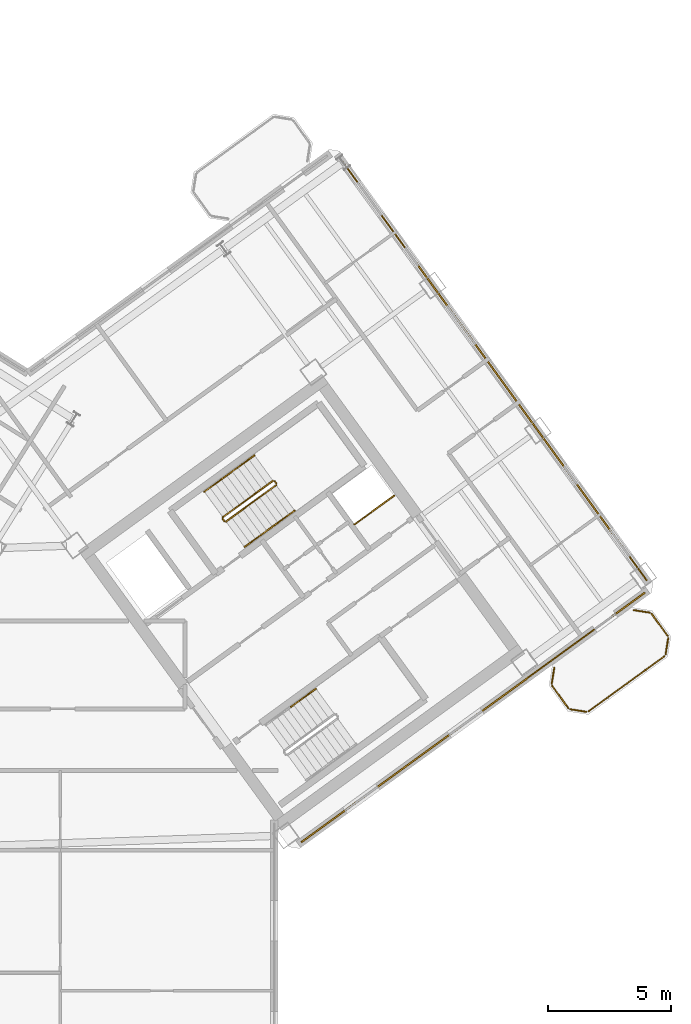
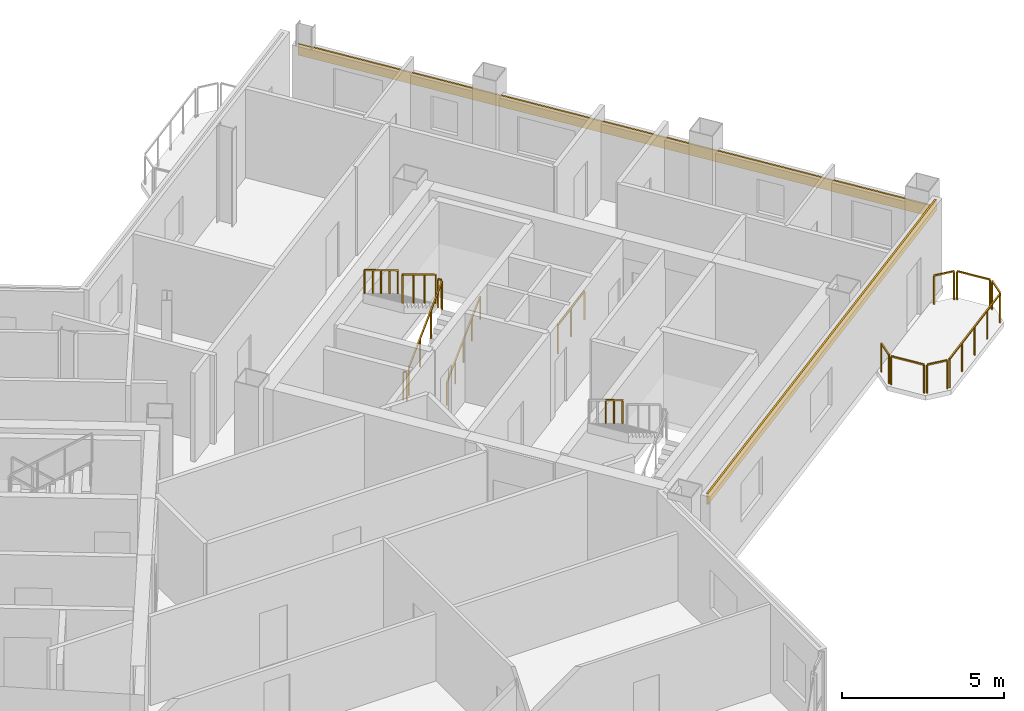
# One storey, part 20 of 21: 17 railings, 2 coverings.
"""IFC4 building model written with IfcOpenShell, lengths in metres."""

import ifcopenshell
import ifcopenshell.guid

model = None  # the IFC model being written
_history = None  # IfcOwnerHistory: only IFC2X3 demands one
_inside = {}  # id of a spatial element -> (the spatial element, [elements in it])
_under = {}  # id of a project, library or spatial element -> (it, [spatial elements below it])
_declared = {}  # id of a project -> (the project, [libraries it declares])
_typed = {}  # id of a type object -> (the type object, [elements of that type])
_made_of = {}  # id of a material, layer set ... -> (it, [elements and type objects made of it])


def new_model(schema):
    """Start an empty IFC model of exactly this schema.

    Asked for "IFC4X3", IfcOpenShell would pick the latest addendum, in which some entities
    have other attributes; the version numbers below select the first issue.
    IFC2X3 requires an IfcOwnerHistory on every rooted entity: one is made here for all.
    """
    global model, _history
    if schema == "IFC4X3":
        model = ifcopenshell.file(schema_version=(4, 3, 0, 0))
    else:
        model = ifcopenshell.file(schema=schema)
    _inside.clear()
    _under.clear()
    _declared.clear()
    _typed.clear()
    _made_of.clear()
    _history = None
    if model.schema == "IFC2X3":
        org = make("IfcOrganization", Name="unknown")
        user = make(
            "IfcPersonAndOrganization",
            ThePerson=make("IfcPerson", FamilyName="unknown"),
            TheOrganization=org,
        )
        app = make(
            "IfcApplication",
            ApplicationDeveloper=org,
            Version="unknown",
            ApplicationFullName="unknown",
            ApplicationIdentifier="unknown",
        )
        _history = make(
            "IfcOwnerHistory",
            OwningUser=user,
            OwningApplication=app,
            ChangeAction="ADDED",
            CreationDate=0,
        )
    return model


def make(cls, **values):
    """One entity of the class cls with the attributes given. An attribute that is None is left unset."""
    return model.create_entity(
        cls, **{name: value for name, value in values.items() if value is not None}
    )


def rooted(cls, **values):
    """An entity with a GlobalId (a new one), such as an element, a storey or a relation."""
    return make(cls, GlobalId=ifcopenshell.guid.new(), OwnerHistory=_history, **values)


def si_unit(unit_type, name, prefix=None):
    """IfcSIUnit, for example si_unit("LENGTHUNIT", "METRE", prefix="MILLI")."""
    return make("IfcSIUnit", UnitType=unit_type, Prefix=prefix, Name=name)


def assignment(units):
    """IfcUnitAssignment: the units of a project."""
    return None if units is None else make("IfcUnitAssignment", Units=units)


def point(xyz):
    """IfcCartesianPoint."""
    return None if xyz is None else make("IfcCartesianPoint", Coordinates=xyz)


def direction(xyz):
    """IfcDirection."""
    return None if xyz is None else make("IfcDirection", DirectionRatios=xyz)


def frame(location, z_axis=None, x_axis=None):
    """IfcAxis2Placement3D, a coordinate frame: its origin and axes. An axis left out is left unset."""
    return make(
        "IfcAxis2Placement3D",
        Location=point(location),
        Axis=direction(z_axis),
        RefDirection=direction(x_axis),
    )


def frame_2d(location, x_axis=None):
    """IfcAxis2Placement2D, a coordinate frame in the plane: its origin and x axis."""
    return make(
        "IfcAxis2Placement2D", Location=point(location), RefDirection=direction(x_axis)
    )


def origin():
    """The frame at (0, 0, 0) with its axes left unset."""
    return frame((0.0, 0.0, 0.0))


def origin_2d():
    """The frame at (0, 0) in the plane with its x axis left unset."""
    return frame_2d((0.0, 0.0))


def place(relative_to, where):
    """IfcLocalPlacement: puts the frame where relative to a parent placement (None: the world)."""
    return make(
        "IfcLocalPlacement", PlacementRelTo=relative_to, RelativePlacement=where
    )


def context(
    kind, dimensions, precision=None, world=None, true_north=None, identifier=None
):
    """IfcGeometricRepresentationContext, for example the 3D "Model" context."""
    return make(
        "IfcGeometricRepresentationContext",
        ContextIdentifier=identifier,
        ContextType=kind,
        CoordinateSpaceDimension=dimensions,
        Precision=precision,
        WorldCoordinateSystem=world,
        TrueNorth=true_north,
    )


def subcontext(parent, identifier, kind, view, scale=None):
    """IfcGeometricRepresentationSubContext, for example "Body" below "Model"."""
    return make(
        "IfcGeometricRepresentationSubContext",
        ContextIdentifier=identifier,
        ContextType=kind,
        ParentContext=parent,
        TargetScale=scale,
        TargetView=view,
    )


def project(units=None, contexts=None):
    """IfcProject with its units and contexts."""
    return rooted(
        "IfcProject",
        Name="project",
        RepresentationContexts=contexts,
        UnitsInContext=assignment(units),
    )


def spatial(cls, under=None, at=None, **own):
    """A site, building, storey or space (cls), placed at a placement, below another one or the project."""
    s = rooted(cls, ObjectPlacement=at, **own)
    if under is not None:
        _under.setdefault(under.id(), (under, []))[1].append(s)
    return s


def profile(cls, at=None, kind="AREA", **sizes):
    """A parametric profile (cls). Its sizes go by their IFC names, for example OverallWidth=200.0."""
    return make(cls, ProfileType=kind, Position=at, **sizes)


def rectangle(**sizes):
    """IfcRectangleProfileDef."""
    return profile("IfcRectangleProfileDef", **sizes)


def extrude(swept, where, along, depth):
    """IfcExtrudedAreaSolid: the profile swept, set in the frame where, extruded along a direction by depth."""
    return make(
        "IfcExtrudedAreaSolid",
        SweptArea=swept,
        Position=where,
        ExtrudedDirection=direction(along),
        Depth=depth,
    )


def shape(context_of_items, identifier, shape_type, items):
    """IfcShapeRepresentation: the items that make up one representation, for example the "Body"."""
    return make(
        "IfcShapeRepresentation",
        ContextOfItems=context_of_items,
        RepresentationIdentifier=identifier,
        RepresentationType=shape_type,
        Items=items,
    )


def source(mapping_origin, context_of_items, identifier, shape_type, items):
    """IfcRepresentationMap: a shape defined once, which mapped items show again and again."""
    return make(
        "IfcRepresentationMap",
        MappingOrigin=mapping_origin,
        MappedRepresentation=shape(context_of_items, identifier, shape_type, items),
    )


def transform(
    local_origin,
    x_axis=None,
    y_axis=None,
    z_axis=None,
    scale=None,
    scale2=None,
    scale3=None,
    uniform=True,
):
    """IfcCartesianTransformationOperator3D, or its non-uniform kind. x_axis, y_axis, z_axis: its Axis1, 2, 3."""
    if uniform:
        return make(
            "IfcCartesianTransformationOperator3D",
            Axis1=direction(x_axis),
            Axis2=direction(y_axis),
            LocalOrigin=point(local_origin),
            Scale=scale,
            Axis3=direction(z_axis),
        )
    return make(
        "IfcCartesianTransformationOperator3DnonUniform",
        Axis1=direction(x_axis),
        Axis2=direction(y_axis),
        LocalOrigin=point(local_origin),
        Scale=scale,
        Axis3=direction(z_axis),
        Scale2=scale2,
        Scale3=scale3,
    )


def mapped(mapping_source, mapping_target):
    """IfcMappedItem: shows the shape of a source again, moved by a transform."""
    return make(
        "IfcMappedItem", MappingSource=mapping_source, MappingTarget=mapping_target
    )


def material(Name=None, Category=None):
    """IfcMaterial."""
    return make("IfcMaterial", Name=Name, Category=Category)


def layer(
    of_material, thickness, ventilated=None, Name=None, Category=None, Priority=None
):
    """IfcMaterialLayer: one layer of a wall or slab, of a material (None: an air gap)."""
    return make(
        "IfcMaterialLayer",
        Material=of_material,
        LayerThickness=thickness,
        IsVentilated=ventilated,
        Name=Name,
        Category=Category,
        Priority=Priority,
    )


def layer_set(layers, Name=None):
    """IfcMaterialLayerSet."""
    return make("IfcMaterialLayerSet", MaterialLayers=layers, LayerSetName=Name)


def made_of(thing, what):
    """Note that an element or type object is made of a material, layer set ...; save() writes the relation."""
    if what is not None:
        _made_of.setdefault(what.id(), (what, []))[1].append(thing)
    return thing


def type_object(cls, material=None, **own):
    """A type object (cls), such as IfcWallType, which elements share."""
    return made_of(rooted(cls, **own), material)


def element(
    cls,
    number,
    at=None,
    inside=None,
    cuts=None,
    type_object=None,
    material=None,
    context=None,
    identifier="Body",
    shape_type=None,
    held_by="IfcProductDefinitionShape",
    body=None,
    shapes=None,
    **own,
):
    """One element of the class cls, such as IfcWall. Its Tag is "e" and its number.

    at: its placement. inside: the storey or other place that contains it. cuts: it is an
    opening in that element (IfcRelVoidsElement). A single representation is given by context,
    identifier, shape_type and body (its items); several are given by shapes. held_by: the class
    of the entity that holds the representations. save() writes the other relations.
    """
    e = rooted(cls, Tag="e%d" % number, ObjectPlacement=at, **own)
    if body is not None:
        shapes = [shape(context, identifier, shape_type, body)]
    if shapes is not None:
        e.Representation = make(held_by, Representations=shapes)
    if inside is not None:
        _inside.setdefault(inside.id(), (inside, []))[1].append(e)
    if cuts is not None:
        rooted(
            "IfcRelVoidsElement", RelatingBuildingElement=cuts, RelatedOpeningElement=e
        )
    if type_object is not None:
        _typed.setdefault(type_object.id(), (type_object, []))[1].append(e)
    return made_of(e, material)


def aggregate(whole, parts):
    """IfcRelAggregates: a whole, such as a stair, and the parts it consists of."""
    return rooted("IfcRelAggregates", RelatingObject=whole, RelatedObjects=parts)


def save(model, path):
    """Write the relations noted so far, then the file.

    IfcRelAggregates (storeys below a building ...), IfcRelContainedInSpatialStructure (elements
    in a storey), IfcRelDefinesByType, IfcRelAssociatesMaterial and IfcRelDeclares: one each for
    every whole, place, type object, material and project.
    """
    for whole, parts in _under.values():
        aggregate(whole, parts)
    for where, things in _inside.values():
        rooted(
            "IfcRelContainedInSpatialStructure",
            RelatedElements=things,
            RelatingStructure=where,
        )
    for kind, things in _typed.values():
        rooted("IfcRelDefinesByType", RelatedObjects=things, RelatingType=kind)
    for what, things in _made_of.values():
        rooted("IfcRelAssociatesMaterial", RelatedObjects=things, RelatingMaterial=what)
    for by, libraries in _declared.values():
        rooted("IfcRelDeclares", RelatingContext=by, RelatedDefinitions=libraries)
    model.write(path)


model = new_model("IFC4")

# Units and contexts
model_context = context("Model", 3, precision=1e-05, world=origin(), true_north=direction((0.0, 1.0)))
body_context = subcontext(model_context, "Body", "Model", "MODEL_VIEW")
ifc_project = project(units=[si_unit("LENGTHUNIT", "METRE"), si_unit("AREAUNIT", "SQUARE_METRE"), si_unit("VOLUMEUNIT", "CUBIC_METRE"), si_unit("PLANEANGLEUNIT", "RADIAN"), si_unit("MASSUNIT", "GRAM", prefix="KILO")], contexts=[model_context])

# Site, building, storey
site_placement = place(None, origin())
site = spatial("IfcSite", under=ifc_project, at=site_placement, CompositionType="ELEMENT")
building_placement = place(site_placement, origin())
building = spatial("IfcBuilding", under=site, at=building_placement, Name="Tlacorven Tower", CompositionType="ELEMENT")
storey_placement = place(building_placement, frame((0.0, 0.0, 214.800048828125)))
storey = spatial("IfcBuildingStorey", under=building, at=storey_placement, Name="L54", CompositionType="ELEMENT", Elevation=214.800048828125)

# Railings
ifc_material_1 = material(Name="Aluminium and painted steel balustrade", Category="steel")
railing_type_1 = type_object("IfcRailingType", Name="RL-GRD-1100", PredefinedType="GUARDRAIL", material=ifc_material_1)
shared_shape_1 = source(origin(), body_context, "Body", "SweptSolid", [
    extrude(rectangle(XDim=0.048095703125, YDim=0.048095703125, at=origin_2d()), frame((0.0, 0.0, 1.076171875), z_axis=(0.808947177504, 0.587881334972, 0.0), x_axis=(-0.587881334972, 0.808947177504, 0.0)), (0.0, 0.0, 1.0), 2.0),
    extrude(rectangle(XDim=0.0419921875, YDim=0.0419921875, at=origin_2d()), origin(), (0.0, 0.0, 1.0), 1.052001953125),
    extrude(rectangle(XDim=0.0419921875, YDim=0.0419921875, at=origin_2d()), frame((0.80908203125, 0.587890625, 0.0)), (0.0, 0.0, 1.0), 1.052001953125),
    extrude(rectangle(XDim=0.0419921875, YDim=0.0419921875, at=origin_2d()), frame((1.617919921875, 1.17578125, 0.0)), (0.0, 0.0, 1.0), 1.052001953125),
])
railing_1_placement = place(storey_placement, frame((55.506103515625, 25.438232421875, 0.0)))
element("IfcRailing", 1, at=railing_1_placement, inside=storey, type_object=railing_type_1, Name="L54 Electrical Riser E Shaft Guard 1", PredefinedType="GUARDRAIL", context=body_context, shape_type="MappedRepresentation", body=[
    mapped(shared_shape_1, transform((0.0, 0.0, 0.0), scale=1.0)),
])
railing_type_2 = type_object("IfcRailingType", Name="RL-BAL-1100", PredefinedType="BALUSTRADE", material=ifc_material_1)
shared_shape_2 = source(origin(), body_context, "Body", "SweptSolid", [
    extrude(rectangle(XDim=0.048095703125, YDim=0.048095703125, at=origin_2d()), frame((0.0, 0.0, 1.076171875), z_axis=(0.156602868908, 0.987661653326, 0.0), x_axis=(-0.987661653326, 0.156602868908, 0.0)), (0.0, 0.0, 1.0), 0.665771484375),
    extrude(rectangle(XDim=0.0419921875, YDim=0.0419921875, at=origin_2d()), origin(), (0.0, 0.0, 1.0), 1.052001953125),
    extrude(rectangle(XDim=0.0419921875, YDim=0.0419921875, at=origin_2d()), frame((0.104248046875, 0.657470703125, 0.0)), (0.0, 0.0, 1.0), 1.052001953125),
])
railing_2_placement = place(storey_placement, frame((63.539306640625, 18.949951171875, 0.0)))
element("IfcRailing", 2, at=railing_2_placement, inside=storey, type_object=railing_type_2, Name="BAL-L54-E-OUT Guard Railing 3", PredefinedType="BALUSTRADE", context=body_context, shape_type="MappedRepresentation", body=[
    mapped(shared_shape_2, transform((0.0, 0.0, 0.0), scale=1.0)),
])
shared_shape_3 = source(origin(), body_context, "Body", "SweptSolid", [
    extrude(rectangle(XDim=0.048095703125, YDim=0.048095703125, at=origin_2d()), frame((0.0, 0.0, 1.076171875), z_axis=(0.58788449985, -0.808944877501, 0.0), x_axis=(0.808944877501, 0.58788449985, 0.0)), (0.0, 0.0, 1.0), 1.112060546875),
    extrude(rectangle(XDim=0.0419921875, YDim=0.0419921875, at=origin_2d()), origin(), (0.0, 0.0, 1.0), 1.052001953125),
    extrude(rectangle(XDim=0.0419921875, YDim=0.0419921875, at=origin_2d()), frame((0.65380859375, -0.899658203125, 0.0)), (0.0, 0.0, 1.0), 1.052001953125),
])
railing_3_placement = place(storey_placement, frame((67.60595703125, 21.799072265625, 0.0)))
element("IfcRailing", 3, at=railing_3_placement, inside=storey, type_object=railing_type_2, Name="BAL-L54-E-OUT Guard Railing 5", PredefinedType="BALUSTRADE", context=body_context, shape_type="MappedRepresentation", body=[
    mapped(shared_shape_3, transform((0.0, 0.0, 0.0), scale=1.0)),
])
shared_shape_4 = source(origin(), body_context, "Body", "SweptSolid", [
    extrude(rectangle(XDim=0.048095703125, YDim=0.048095703125, at=origin_2d()), frame((0.0, 0.0, 1.076171875), z_axis=(-0.809018102573, -0.587783726986, 0.0), x_axis=(0.587783726986, -0.809018102573, 0.0)), (0.0, 0.0, 1.0), 3.817138671875),
    extrude(rectangle(XDim=0.0419921875, YDim=0.0419921875, at=origin_2d()), origin(), (0.0, 0.0, 1.0), 1.052001953125),
    extrude(rectangle(XDim=0.0419921875, YDim=0.0419921875, at=origin_2d()), frame((-0.77197265625, -0.56103515625, 0.0)), (0.0, 0.0, 1.0), 1.052001953125),
    extrude(rectangle(XDim=0.0419921875, YDim=0.0419921875, at=origin_2d()), frame((-1.5439453125, -1.121826171875, 0.0)), (0.0, 0.0, 1.0), 1.052001953125),
    extrude(rectangle(XDim=0.0419921875, YDim=0.0419921875, at=origin_2d()), frame((-2.316162109375, -1.6826171875, 0.0)), (0.0, 0.0, 1.0), 1.052001953125),
    extrude(rectangle(XDim=0.0419921875, YDim=0.0419921875, at=origin_2d()), frame((-3.088134765625, -2.24365234375, 0.0)), (0.0, 0.0, 1.0), 1.052001953125),
])
railing_4_placement = place(storey_placement, frame((68.12890625, 20.0732421875, 0.0)))
element("IfcRailing", 4, at=railing_4_placement, inside=storey, type_object=railing_type_2, Name="BAL-L54-E-OUT Guard Railing 7", PredefinedType="BALUSTRADE", context=body_context, shape_type="MappedRepresentation", body=[
    mapped(shared_shape_4, transform((0.0, 0.0, 0.0), scale=1.0)),
])
shared_shape_5 = source(origin(), body_context, "Body", "SweptSolid", [
    extrude(rectangle(XDim=0.048095703125, YDim=0.048095703125, at=origin_2d()), frame((0.0, 0.0, 1.076171875), z_axis=(-0.987718317463, 0.156245081039, 0.0), x_axis=(-0.156245081039, -0.987718317463, 0.0)), (0.0, 0.0, 1.0), 0.66552734375),
    extrude(rectangle(XDim=0.0419921875, YDim=0.0419921875, at=origin_2d()), origin(), (0.0, 0.0, 1.0), 1.052001953125),
    extrude(rectangle(XDim=0.0419921875, YDim=0.0419921875, at=origin_2d()), frame((-0.657470703125, 0.10400390625, 0.0)), (0.0, 0.0, 1.0), 1.052001953125),
])
railing_5_placement = place(storey_placement, frame((64.950927734375, 17.80810546875, 0.0)))
element("IfcRailing", 5, at=railing_5_placement, inside=storey, type_object=railing_type_2, Name="BAL-L54-E-OUT Guard Railing 1", PredefinedType="BALUSTRADE", context=body_context, shape_type="MappedRepresentation", body=[
    mapped(shared_shape_5, transform((0.0, 0.0, 0.0), scale=1.0)),
])
shared_shape_6 = source(origin(), body_context, "Body", "SweptSolid", [
    extrude(rectangle(XDim=0.048095703125, YDim=0.048095703125, at=origin_2d()), frame((0.0, 0.0, 1.076171875), z_axis=(-0.587740817519, 0.809049276263, 0.0), x_axis=(-0.809049276263, -0.587740817519, 0.0)), (0.0, 0.0, 1.0), 1.112060546875),
    extrude(rectangle(XDim=0.0419921875, YDim=0.0419921875, at=origin_2d()), origin(), (0.0, 0.0, 1.0), 1.052001953125),
    extrude(rectangle(XDim=0.0419921875, YDim=0.0419921875, at=origin_2d()), frame((-0.653564453125, 0.899658203125, 0.0)), (0.0, 0.0, 1.0), 1.052001953125),
])
railing_6_placement = place(storey_placement, frame((64.214599609375, 17.96044921875, 0.0)))
element("IfcRailing", 6, at=railing_6_placement, inside=storey, type_object=railing_type_2, Name="BAL-L54-E-OUT Guard Railing 2", PredefinedType="BALUSTRADE", context=body_context, shape_type="MappedRepresentation", body=[
    mapped(shared_shape_6, transform((0.0, 0.0, 0.0), scale=1.0)),
])
shared_shape_7 = source(origin(), body_context, "Body", "SweptSolid", [
    extrude(rectangle(XDim=0.048095703125, YDim=0.048095703125, at=origin_2d()), frame((0.0, 0.0, 1.076171875), z_axis=(-0.156245081039, -0.987718317463, 0.0), x_axis=(0.987718317463, -0.156245081039, 0.0)), (0.0, 0.0, 1.0), 0.66552734375),
    extrude(rectangle(XDim=0.0419921875, YDim=0.0419921875, at=origin_2d()), origin(), (0.0, 0.0, 1.0), 1.052001953125),
    extrude(rectangle(XDim=0.0419921875, YDim=0.0419921875, at=origin_2d()), frame((-0.10400390625, -0.657470703125, 0.0)), (0.0, 0.0, 1.0), 1.052001953125),
])
railing_7_placement = place(storey_placement, frame((68.28125, 20.8095703125, 0.0)))
element("IfcRailing", 7, at=railing_7_placement, inside=storey, type_object=railing_type_2, Name="BAL-L54-E-OUT Guard Railing 6", PredefinedType="BALUSTRADE", context=body_context, shape_type="MappedRepresentation", body=[
    mapped(shared_shape_7, transform((0.0, 0.0, 0.0), scale=1.0)),
])

# Coverings
ifc_material_2 = material(Name="Precast concrete C45/55", Category="concrete")
ifc_layer = layer(ifc_material_2, 0.06005859375)
ifc_layer_set = layer_set([ifc_layer], Name="Precast concrete C45/55")
covering_type = type_object("IfcCoveringType", Name="CV-CLD-TERC", PredefinedType="CLADDING", material=ifc_layer_set)
shared_shape_8 = source(origin(), body_context, "Body", "SweptSolid", [
    extrude(rectangle(XDim=21.287353515625, YDim=0.06005859375, at=origin_2d()), origin(), (0.0, 0.0, 1.0), 0.419921875),
])
covering_1_placement = place(storey_placement, frame((61.15478515625, 31.767333984375, 2.405029296875), z_axis=(0.0, 0.0, 1.0), x_axis=(0.587785363163, -0.809016913823, 0.0)))
element("IfcCovering", 8, at=covering_1_placement, inside=storey, type_object=covering_type, Name="L54 Masonry-Frame Spandrel Cladding 5", PredefinedType="CLADDING", context=body_context, shape_type="MappedRepresentation", body=[
    mapped(shared_shape_8, transform((0.0, 0.0, 0.0), scale=1.0)),
])
shared_shape_9 = source(origin(), body_context, "Body", "SweptSolid", [
    extrude(rectangle(XDim=17.287353515625, YDim=0.06005859375, at=origin_2d()), origin(), (0.0, 0.0, 1.0), 0.419921875),
])
covering_2_placement = place(storey_placement, frame((60.339111328125, 17.578125, 2.929931640625), z_axis=(0.0, 0.0, 1.0), x_axis=(-0.809016829126, -0.587785479738, 0.0)))
element("IfcCovering", 9, at=covering_2_placement, inside=storey, type_object=covering_type, Name="L54 Masonry-Frame Spandrel Cladding 6", PredefinedType="CLADDING", context=body_context, shape_type="MappedRepresentation", body=[
    mapped(shared_shape_9, transform((0.0, 0.0, 0.0), scale=1.0)),
])

# Railings
shared_shape_10 = source(origin(), body_context, "Body", "SweptSolid", [
    extrude(rectangle(XDim=0.048095703125, YDim=0.048095703125, at=origin_2d()), frame((0.0, 0.0, 1.076171875), z_axis=(0.987727266442, -0.156188498702, 0.0), x_axis=(0.156188498702, 0.987727266442, 0.0)), (0.0, 0.0, 1.0), 0.665771484375),
    extrude(rectangle(XDim=0.0419921875, YDim=0.0419921875, at=origin_2d()), origin(), (0.0, 0.0, 1.0), 1.052001953125),
    extrude(rectangle(XDim=0.0419921875, YDim=0.0419921875, at=origin_2d()), frame((0.65771484375, -0.10400390625, 0.0)), (0.0, 0.0, 1.0), 1.052001953125),
])
railing_8_placement = place(storey_placement, frame((66.86962890625, 21.951416015625, 0.0)))
element("IfcRailing", 10, at=railing_8_placement, inside=storey, type_object=railing_type_2, Name="BAL-L54-E-OUT Guard Railing 4", PredefinedType="BALUSTRADE", context=body_context, shape_type="MappedRepresentation", body=[
    mapped(shared_shape_10, transform((0.0, 0.0, 0.0), scale=1.0)),
])
shared_shape_11 = source(origin(), body_context, "Body", "SweptSolid", [
    extrude(rectangle(XDim=0.048095703125, YDim=0.048095703125, at=origin_2d()), frame((0.0, 0.0, 1.076171875), z_axis=(-0.587201422542, 0.809440849824, 0.0), x_axis=(-0.809440849824, -0.587201422542, 0.0)), (0.0, 0.0, 1.0), 0.11962890625),
    extrude(rectangle(XDim=0.0419921875, YDim=0.0419921875, at=origin_2d()), origin(), (0.0, 0.0, 1.0), 1.052001953125),
    extrude(rectangle(XDim=0.0419921875, YDim=0.0419921875, at=origin_2d()), frame((-0.0703125, 0.096923828125, 0.0)), (0.0, 0.0, 1.0), 1.052001953125),
])
for number, where, name in (
    (11, (52.326904296875, 27.10888671875, 1.800048828125), "L54 ST-E1 stair guard 2"),
    (12, (50.207275390625, 25.56884765625, 0.0), "L54 ST-E1 stair guard 4"),
):
    element("IfcRailing", number, at=place(storey_placement, frame(where)), inside=storey, type_object=railing_type_1, Name=name, PredefinedType="GUARDRAIL", context=body_context, shape_type="MappedRepresentation", body=[
        mapped(shared_shape_11, transform((0.0, 0.0, 0.0), scale=1.0)),
    ])
shared_shape_12 = source(origin(), body_context, "Body", "SweptSolid", [
    extrude(rectangle(XDim=0.048095703125, YDim=0.048095703125, at=origin_2d()), frame((0.0, 0.0, 1.076171875), z_axis=(0.680488636597, 0.494434078831, 0.540805100894), x_axis=(-0.5878087079, 0.808999952359, 0.0)), (0.0, 0.0, 1.0), 2.995849609375),
    extrude(rectangle(XDim=0.0419921875, YDim=0.0419921875, at=origin_2d()), origin(), (0.0, 0.0, 1.0), 1.052001953125),
    extrude(rectangle(XDim=0.0419921875, YDim=0.0419921875, at=origin_2d()), frame((0.679443359375, 0.49365234375, 0.5400390625)), (0.0, 0.0, 1.0), 1.052001953125),
    extrude(rectangle(XDim=0.0419921875, YDim=0.0419921875, at=origin_2d()), frame((1.359130859375, 0.987548828125, 1.080078125)), (0.0, 0.0, 1.0), 1.052001953125),
    extrude(rectangle(XDim=0.0419921875, YDim=0.0419921875, at=origin_2d()), frame((2.03857421875, 1.481201171875, 1.6201171875)), (0.0, 0.0, 1.0), 1.052001953125),
])
railing_9_placement = place(storey_placement, frame((50.27734375, 25.557861328125, 0.179931640625)))
element("IfcRailing", 13, at=railing_9_placement, inside=storey, type_object=railing_type_1, Name="L54 ST-E1 stair guard 1", PredefinedType="GUARDRAIL", context=body_context, shape_type="MappedRepresentation", body=[
    mapped(shared_shape_12, transform((0.0, 0.0, 0.0), scale=1.0)),
])
railing_type_3 = type_object("IfcRailingType", Name="RL-HND-0900", PredefinedType="HANDRAIL", material=ifc_material_1)
shared_shape_13 = source(origin(), body_context, "Body", "SweptSolid", [
    extrude(rectangle(XDim=0.048095703125, YDim=0.048095703125, at=origin_2d()), frame((0.0, 0.0, 0.8759765625), z_axis=(0.680516055757, 0.494372502302, 0.540826891737), x_axis=(-0.587745292299, 0.809046025502, 0.0)), (0.0, 0.0, 1.0), 1.497802734375),
    extrude(rectangle(XDim=0.0419921875, YDim=0.0419921875, at=origin_2d()), origin(), (0.0, 0.0, 1.0), 0.851806640625),
    extrude(rectangle(XDim=0.0419921875, YDim=0.0419921875, at=origin_2d()), frame((0.509765625, 0.3701171875, 0.405029296875)), (0.0, 0.0, 1.0), 0.851806640625),
    extrude(rectangle(XDim=0.0419921875, YDim=0.0419921875, at=origin_2d()), frame((1.019287109375, 0.740478515625, 0.81005859375)), (0.0, 0.0, 1.0), 0.851806640625),
])
railing_10_placement = place(storey_placement, frame((51.029541015625, 24.522216796875, 0.179931640625)))
element("IfcRailing", 14, at=railing_10_placement, inside=storey, type_object=railing_type_3, Name="L54 ST-E1 stair handrail 1", PredefinedType="HANDRAIL", context=body_context, shape_type="MappedRepresentation", body=[
    mapped(shared_shape_13, transform((0.0, 0.0, 0.0), scale=1.0)),
])
shared_shape_14 = source(origin(), body_context, "Body", "SweptSolid", [
    extrude(rectangle(XDim=0.048095703125, YDim=0.048095703125, at=origin_2d()), frame((0.0, 0.0, 0.8759765625), z_axis=(0.680548719995, 0.49444080854, 0.540723336433), x_axis=(-0.587779977844, 0.80902082646, 0.0)), (0.0, 0.0, 1.0), 1.498046875),
    extrude(rectangle(XDim=0.0419921875, YDim=0.0419921875, at=origin_2d()), origin(), (0.0, 0.0, 1.0), 0.851806640625),
    extrude(rectangle(XDim=0.0419921875, YDim=0.0419921875, at=origin_2d()), frame((0.509765625, 0.370361328125, 0.405029296875)), (0.0, 0.0, 1.0), 0.851806640625),
    extrude(rectangle(XDim=0.0419921875, YDim=0.0419921875, at=origin_2d()), frame((1.01953125, 0.74072265625, 0.81005859375)), (0.0, 0.0, 1.0), 0.851806640625),
])
railing_11_placement = place(storey_placement, frame((52.048828125, 25.2626953125, 0.989990234375)))
element("IfcRailing", 15, at=railing_11_placement, inside=storey, type_object=railing_type_3, Name="L54 ST-E1 stair handrail 2", PredefinedType="HANDRAIL", context=body_context, shape_type="MappedRepresentation", body=[
    mapped(shared_shape_14, transform((0.0, 0.0, 0.0), scale=1.0)),
])
shared_shape_15 = source(origin(), body_context, "Body", "SweptSolid", [
    extrude(rectangle(XDim=0.048095703125, YDim=0.048095703125, at=origin_2d()), frame((0.0, 0.0, 0.8759765625), z_axis=(-0.680603554404, -0.494317667746, 0.540766904577), x_axis=(0.587653156371, -0.809112951205, 0.0)), (0.0, 0.0, 1.0), 1.498046875),
    extrude(rectangle(XDim=0.0419921875, YDim=0.0419921875, at=origin_2d()), origin(), (0.0, 0.0, 1.0), 0.851806640625),
    extrude(rectangle(XDim=0.0419921875, YDim=0.0419921875, at=origin_2d()), frame((-0.509765625, -0.3701171875, 0.405029296875)), (0.0, 0.0, 1.0), 0.851806640625),
    extrude(rectangle(XDim=0.0419921875, YDim=0.0419921875, at=origin_2d()), frame((-1.01953125, -0.740478515625, 0.81005859375)), (0.0, 0.0, 1.0), 0.851806640625),
])
railing_12_placement = place(storey_placement, frame((51.434326171875, 28.25244140625, 1.97998046875)))
element("IfcRailing", 16, at=railing_12_placement, inside=storey, type_object=railing_type_3, Name="L54 ST-E1 stair handrail 3", PredefinedType="HANDRAIL", context=body_context, shape_type="MappedRepresentation", body=[
    mapped(shared_shape_15, transform((0.0, 0.0, 0.0), scale=1.0)),
])
shared_shape_16 = source(origin(), body_context, "Body", "SweptSolid", [
    extrude(rectangle(XDim=0.048095703125, YDim=0.048095703125, at=origin_2d()), frame((0.0, 0.0, 1.076171875), z_axis=(-0.680518627673, -0.494455869951, 0.540747436481), x_axis=(0.5878087079, -0.808999952359, 0.0)), (0.0, 0.0, 1.0), 2.99560546875),
    extrude(rectangle(XDim=0.0419921875, YDim=0.0419921875, at=origin_2d()), origin(), (0.0, 0.0, 1.0), 1.052001953125),
    extrude(rectangle(XDim=0.0419921875, YDim=0.0419921875, at=origin_2d()), frame((-0.679443359375, -0.49365234375, 0.5400390625)), (0.0, 0.0, 1.0), 1.052001953125),
    extrude(rectangle(XDim=0.0419921875, YDim=0.0419921875, at=origin_2d()), frame((-1.359130859375, -0.987548828125, 1.079833984375)), (0.0, 0.0, 1.0), 1.052001953125),
    extrude(rectangle(XDim=0.0419921875, YDim=0.0419921875, at=origin_2d()), frame((-2.03857421875, -1.481201171875, 1.619873046875)), (0.0, 0.0, 1.0), 1.052001953125),
])
railing_13_placement = place(storey_placement, frame((52.1865234375, 27.217041015625, 1.97998046875)))
element("IfcRailing", 17, at=railing_13_placement, inside=storey, type_object=railing_type_1, Name="L54 ST-E1 stair guard 3", PredefinedType="GUARDRAIL", context=body_context, shape_type="MappedRepresentation", body=[
    mapped(shared_shape_16, transform((0.0, 0.0, 0.0), scale=1.0)),
])
shared_shape_17 = source(origin(), body_context, "Body", "SweptSolid", [
    extrude(rectangle(XDim=0.048095703125, YDim=0.048095703125, at=origin_2d()), frame((0.0, 0.0, 0.8759765625), z_axis=(-0.680521190579, -0.494539231669, 0.540667973449), x_axis=(0.587872112667, -0.808953879494, 0.0)), (0.0, 0.0, 1.0), 1.497802734375),
    extrude(rectangle(XDim=0.0419921875, YDim=0.0419921875, at=origin_2d()), origin(), (0.0, 0.0, 1.0), 0.851806640625),
    extrude(rectangle(XDim=0.0419921875, YDim=0.0419921875, at=origin_2d()), frame((-0.509765625, -0.370361328125, 0.40478515625)), (0.0, 0.0, 1.0), 0.851806640625),
    extrude(rectangle(XDim=0.0419921875, YDim=0.0419921875, at=origin_2d()), frame((-1.019287109375, -0.74072265625, 0.809814453125)), (0.0, 0.0, 1.0), 0.851806640625),
])
railing_14_placement = place(storey_placement, frame((50.414794921875, 27.511962890625, 2.7900390625)))
element("IfcRailing", 18, at=railing_14_placement, inside=storey, type_object=railing_type_3, Name="L54 ST-E1 stair handrail 4", PredefinedType="HANDRAIL", context=body_context, shape_type="MappedRepresentation", body=[
    mapped(shared_shape_17, transform((0.0, 0.0, 0.0), scale=1.0)),
])
shared_shape_18 = source(origin(), body_context, "Body", "SweptSolid", [
    extrude(rectangle(XDim=0.048095703125, YDim=0.048095703125, at=origin_2d()), frame((0.0, 0.0, 0.8759765625), z_axis=(-0.680516055757, -0.494372502302, 0.540826891737), x_axis=(0.587745292299, -0.809046025502, 0.0)), (0.0, 0.0, 1.0), 1.497802734375),
    extrude(rectangle(XDim=0.0419921875, YDim=0.0419921875, at=origin_2d()), origin(), (0.0, 0.0, 1.0), 0.851806640625),
    extrude(rectangle(XDim=0.0419921875, YDim=0.0419921875, at=origin_2d()), frame((-0.509765625, -0.3701171875, 0.405029296875)), (0.0, 0.0, 1.0), 0.851806640625),
    extrude(rectangle(XDim=0.0419921875, YDim=0.0419921875, at=origin_2d()), frame((-1.019287109375, -0.740478515625, 0.81005859375)), (0.0, 0.0, 1.0), 0.851806640625),
])
railing_15_placement = place(storey_placement, frame((53.938232421875, 18.749267578125, 1.97998046875)))
element("IfcRailing", 19, at=railing_15_placement, inside=storey, type_object=railing_type_3, Name="L54 ST-E2 stair handrail 3", PredefinedType="HANDRAIL", context=body_context, shape_type="MappedRepresentation", body=[
    mapped(shared_shape_18, transform((0.0, 0.0, 0.0), scale=1.0)),
])

save(model, "model.ifc")
